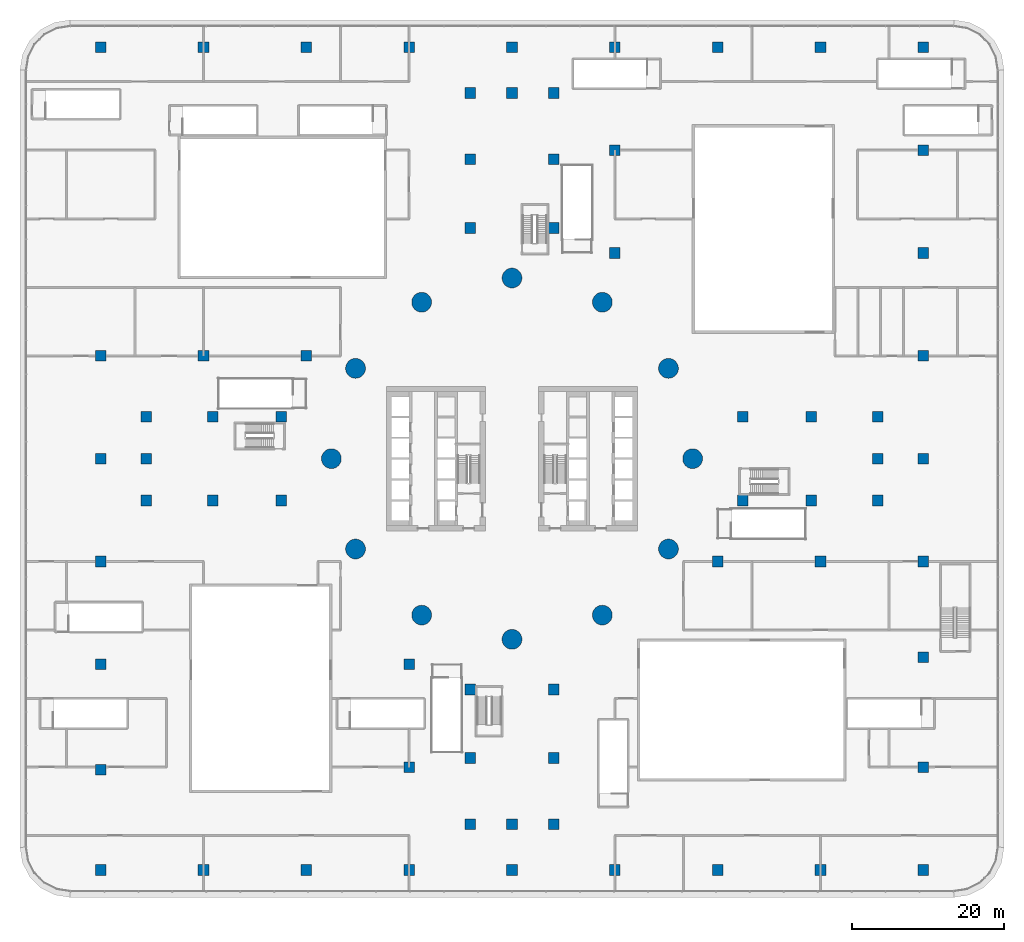
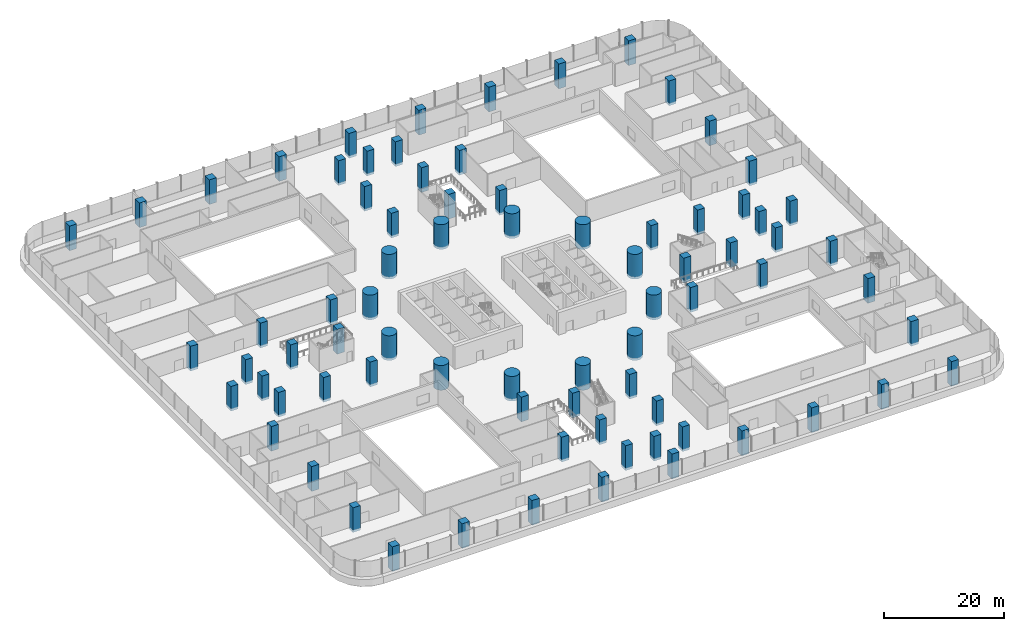
# One storey, part 1 of 38: 78 columns.
"""IFC4 building model written with IfcOpenShell, lengths in metres."""

from ifc_helpers import new_model, si_unit, direction, frame, origin, origin_2d, place, context, subcontext, project, spatial, rectangle, circle, extrude, material, material_profile, profile_set, type_object, element, save


model = new_model("IFC4")

# Units and contexts
model_context = context("Model", 3, precision=1e-05, world=origin(), true_north=direction((0.0, 1.0)))
body_context = subcontext(model_context, "Body", "Model", "MODEL_VIEW")
ifc_project = project(units=[si_unit("LENGTHUNIT", "METRE"), si_unit("AREAUNIT", "SQUARE_METRE"), si_unit("VOLUMEUNIT", "CUBIC_METRE"), si_unit("PLANEANGLEUNIT", "RADIAN"), si_unit("MASSUNIT", "GRAM", prefix="KILO")], contexts=[model_context])

# Site, building, storey
site_placement = place(None, origin())
site = spatial("IfcSite", under=ifc_project, at=site_placement, CompositionType="ELEMENT")
building_placement = place(site_placement, origin())
building = spatial("IfcBuilding", under=site, at=building_placement, Name="Tamarind Cross Interchange Tower", CompositionType="ELEMENT")
storey_placement = place(building_placement, frame((0.0, 0.0, 20.0)))
storey = spatial("IfcBuildingStorey", under=building, at=storey_placement, Name="L03", CompositionType="ELEMENT", Elevation=20.0)

# Columns
ifc_material = material(Name="Concrete C80", Category="concrete")
ifc_material_profile_1 = material_profile(ifc_material, rectangle(XDim=1.39990234375, YDim=1.39990234375, at=origin_2d()), Name="RC 1400x1400")
ifc_profile_set_1 = profile_set([ifc_material_profile_1], Name="Concrete C80")
column_type_1 = type_object("IfcColumnType", Name="Column RC 1400x1400 Concrete C80", PredefinedType="COLUMN", material=ifc_profile_set_1)
for number, where, z_axis, x_axis, name in (
    (1, (39.300048828125, 5.5, -0.5), (0.0, 0.0, 1.0), (1.0, 0.0, 0.0), "Column E.ep0"),
    (2, (39.300048828125, -5.5, -0.5), (0.0, 0.0, 1.0), (1.0, 0.0, 0.0), "Column E.em0"),
    (3, (30.300048828125, 5.5, -0.5), (0.0, 0.0, 1.0), (1.0, 0.0, 0.0), "Column E.ep1"),
    (4, (30.300048828125, -5.5, -0.5), (0.0, 0.0, 1.0), (1.0, 0.0, 0.0), "Column E.em1"),
    (5, (48.007568359375, -5.5, -0.5), (0.0, 0.0, 1.0), (1.0, 0.0, 0.0), "Column E.t0"),
    (6, (48.007568359375, 0.0, -0.5), (0.0, 0.0, 1.0), (1.0, 0.0, 0.0), "Column E.t1"),
    (7, (48.007568359375, 5.5, -0.5), (0.0, 0.0, 1.0), (1.0, 0.0, 0.0), "Column E.t2"),
    (8, (-5.5, 39.300048828125, -0.5), (0.0, 0.0, 1.0), (1.0, 0.0, 0.0), "Column N.ep0"),
    (9, (5.5, 39.300048828125, -0.5), (0.0, 0.0, 1.0), (1.0, 0.0, 0.0), "Column N.em0"),
    (10, (-5.5, 30.300048828125, -0.5), (0.0, 0.0, 1.0), (1.0, 0.0, 0.0), "Column N.ep1"),
    (11, (5.5, 30.300048828125, -0.5), (0.0, 0.0, 1.0), (1.0, 0.0, 0.0), "Column N.em1"),
    (12, (5.5, 48.007568359375, -0.5), (0.0, 0.0, 1.0), (1.0, 0.0, 0.0), "Column N.t0"),
    (13, (0.0, 48.007568359375, -0.5), (0.0, 0.0, 1.0), (1.0, 0.0, 0.0), "Column N.t1"),
    (14, (-5.5, 48.007568359375, -0.5), (0.0, 0.0, 1.0), (1.0, 0.0, 0.0), "Column N.t2"),
    (15, (-39.300048828125, -5.5, -0.5), (0.0, 0.0, 1.0), (1.0, 0.0, 0.0), "Column W.ep0"),
    (16, (-39.300048828125, 5.5, -0.5), (0.0, 0.0, 1.0), (1.0, 0.0, 0.0), "Column W.em0"),
    (17, (-30.300048828125, -5.5, -0.5), (0.0, 0.0, 1.0), (1.0, 0.0, 0.0), "Column W.ep1"),
    (18, (-30.300048828125, 5.5, -0.5), (0.0, 0.0, 1.0), (1.0, 0.0, 0.0), "Column W.em1"),
    (19, (-48.007568359375, 5.5, -0.5), (0.0, 0.0, 1.0), (1.0, 0.0, 0.0), "Column W.t0"),
    (20, (-48.007568359375, 0.0, -0.5), (0.0, 0.0, 1.0), (1.0, 0.0, 0.0), "Column W.t1"),
    (21, (-48.007568359375, -5.5, -0.5), (0.0, 0.0, 1.0), (1.0, 0.0, 0.0), "Column W.t2"),
    (22, (5.5, -39.300048828125, -0.5), (0.0, 0.0, 1.0), (1.0, 0.0, 0.0), "Column S.ep0"),
    (23, (-5.5, -39.300048828125, -0.5), (0.0, 0.0, 1.0), (1.0, 0.0, 0.0), "Column S.em0"),
    (24, (5.5, -30.300048828125, -0.5), (0.0, 0.0, 1.0), (1.0, 0.0, 0.0), "Column S.ep1"),
    (25, (-5.5, -30.300048828125, -0.5), (0.0, 0.0, 1.0), (1.0, 0.0, 0.0), "Column S.em1"),
    (26, (-5.5, -48.007568359375, -0.5), (0.0, 0.0, 1.0), (1.0, 0.0, 0.0), "Column S.t0"),
    (27, (0.0, -48.007568359375, -0.5), (0.0, 0.0, 1.0), (1.0, 0.0, 0.0), "Column S.t1"),
    (28, (5.5, -48.007568359375, -0.5), (0.0, 0.0, 1.0), (1.0, 0.0, 0.0), "Column S.t2"),
    (29, (-54.0, -54.0, -0.5), (0.0, 0.0, 1.0), (1.0, 0.0, 0.0), "Column G01"),
    (30, (-54.0, -40.85009765625, -0.5), (0.0, 0.0, 1.0), (1.0, 0.0, 0.0), "Column G02"),
    (31, (-54.0, -27.0, -0.5), (0.0, 0.0, 1.0), (1.0, 0.0, 0.0), "Column G03"),
    (32, (-54.0, -13.5, -0.5), (0.0, 0.0, 1.0), (1.0, 0.0, 0.0), "Column G04"),
    (33, (-54.0, 0.0, -0.5), (0.0, 0.0, 1.0), (1.0, 0.0, 0.0), "Column G05"),
    (34, (-54.0, 13.5, -0.5), (0.0, 0.0, 1.0), (1.0, 0.0, 0.0), "Column G06"),
    (35, (-54.0, 54.0, -0.5), (0.0, 0.0, 1.0), (1.0, 0.0, 0.0), "Column G07"),
    (36, (-40.5, -54.0, -0.5), (0.0, 0.0, 1.0), (1.0, 0.0, 0.0), "Column G08"),
    (37, (-40.5, 13.5, -0.5), (0.0, 0.0, 1.0), (1.0, 0.0, 0.0), "Column G09"),
    (38, (-40.5, 54.0, -0.5), (0.0, 0.0, 1.0), (1.0, 0.0, 0.0), "Column G10"),
    (39, (-27.0, -54.0, -0.5), (0.0, 0.0, 1.0), (1.0, 0.0, 0.0), "Column G11"),
    (40, (-27.0, 13.5, -0.5), (0.0, 0.0, 1.0), (1.0, 0.0, 0.0), "Column G12"),
    (41, (-27.0, 54.0, -0.5), (0.0, 0.0, 1.0), (1.0, 0.0, 0.0), "Column G13"),
    (42, (-13.5, -54.0, -0.5), (0.0, 0.0, 1.0), (1.0, 0.0, 0.0), "Column G14"),
    (43, (-13.5, -40.5, -0.5), (0.0, 0.0, 1.0), (1.0, 0.0, 0.0), "Column G15"),
    (44, (-13.5, -27.0, -0.5), (0.0, 0.0, 1.0), (1.0, 0.0, 0.0), "Column G16"),
    (45, (-13.5, 54.0, -0.5), (0.0, 0.0, 1.0), (1.0, 0.0, 0.0), "Column G17"),
    (46, (0.0, -54.0, -0.5), (0.0, 0.0, 1.0), (1.0, 0.0, 0.0), "Column G18"),
    (47, (0.0, 54.0, -0.5), (0.0, 0.0, 1.0), (1.0, 0.0, 0.0), "Column G19"),
    (48, (13.5, -54.0, -0.5), (0.0, 0.0, 1.0), (1.0, 0.0, 0.0), "Column G20"),
    (49, (13.5, 27.0, -0.5), (0.0, 0.0, 1.0), (1.0, 0.0, 0.0), "Column G21"),
    (50, (13.5, 40.5, -0.5), (0.0, 0.0, 1.0), (1.0, 0.0, 0.0), "Column G22"),
    (51, (13.5, 54.0, -0.5), (0.0, 0.0, 1.0), (1.0, 0.0, 0.0), "Column G23"),
    (52, (27.0, -54.0, -0.5), (0.0, 0.0, 1.0), (1.0, 0.0, 0.0), "Column G24"),
    (53, (27.0, -13.5, -0.5), (0.0, 0.0, 1.0), (1.0, 0.0, 0.0), "Column G25"),
    (54, (27.0, 54.0, -0.5), (0.0, 0.0, 1.0), (1.0, 0.0, 0.0), "Column G26"),
    (55, (40.5, -54.0, -0.5), (0.0, 0.0, 1.0), (1.0, 0.0, 0.0), "Column G27"),
    (56, (40.5, -13.5, -0.5), (0.0, 0.0, 1.0), (1.0, 0.0, 0.0), "Column G28"),
    (57, (40.5, 54.0, -0.5), (0.0, 0.0, 1.0), (1.0, 0.0, 0.0), "Column G29"),
    (58, (54.0, -54.0, -0.5), (0.0, 0.0, 1.0), (1.0, 0.0, 0.0), "Column G30"),
    (59, (54.0, -40.5, -0.5), (0.0, 0.0, 1.0), (1.0, 0.0, 0.0), "Column G31"),
    (60, (54.0, -26.050048828125, -0.5), (0.0, 0.0, 1.0), (1.0, 0.0, 0.0), "Column G32"),
    (61, (54.0, -13.5, -0.5), (0.0, 0.0, 1.0), (1.0, 0.0, 0.0), "Column G33"),
    (62, (54.0, 0.0, -0.5), (0.0, 0.0, 1.0), (1.0, 0.0, 0.0), "Column G34"),
    (63, (54.0, 13.5, -0.5), (0.0, 0.0, 1.0), (1.0, 0.0, 0.0), "Column G35"),
    (64, (54.0, 27.0, -0.5), (0.0, 0.0, 1.0), (1.0, 0.0, 0.0), "Column G36"),
    (65, (54.0, 40.5, -0.5), (0.0, 0.0, 1.0), (1.0, 0.0, 0.0), "Column G37"),
    (66, (54.0, 54.0, -0.5), (0.0, 0.0, 1.0), (1.0, 0.0, 0.0), "Column G38"),
):
    element("IfcColumn", number, at=place(storey_placement, frame(where, z_axis=z_axis, x_axis=x_axis)), inside=storey, type_object=column_type_1, Name=name, PredefinedType="COLUMN", context=body_context, shape_type="SweptSolid", body=[
        extrude(rectangle(XDim=1.39990234375, YDim=1.39990234375, at=origin_2d()), origin(), (0.0, 0.0, 1.0), 5.050048828125),
    ])
ifc_material_profile_2 = material_profile(ifc_material, circle(Radius=1.300048828125, at=origin_2d()), Name="RC D2600")
ifc_profile_set_2 = profile_set([ifc_material_profile_2], Name="Concrete C80")
column_type_2 = type_object("IfcColumnType", Name="Column RC D2600 Concrete C80", PredefinedType="COLUMN", material=ifc_profile_set_2)
for number, where, z_axis, x_axis, name in (
    (67, (23.720703125, 0.0, -0.5), (0.0, 0.0, 1.0), (1.0, 0.0, 0.0), "Ring column R01"),
    (68, (20.542724609375, 11.8603515625, -0.5), (0.0, 0.0, 1.0), (1.0, 0.0, 0.0), "Ring column R02"),
    (69, (11.8603515625, 20.542724609375, -0.5), (0.0, 0.0, 1.0), (1.0, 0.0, 0.0), "Ring column R03"),
    (70, (0.0, 23.720703125, -0.5), (0.0, 0.0, 1.0), (1.0, 0.0, 0.0), "Ring column R04"),
    (71, (-11.8603515625, 20.542724609375, -0.5), (0.0, 0.0, 1.0), (1.0, 0.0, 0.0), "Ring column R05"),
    (72, (-20.542724609375, 11.8603515625, -0.5), (0.0, 0.0, 1.0), (1.0, 0.0, 0.0), "Ring column R06"),
    (73, (-23.720703125, 0.0, -0.5), (0.0, 0.0, 1.0), (1.0, 0.0, 0.0), "Ring column R07"),
    (74, (-20.542724609375, -11.8603515625, -0.5), (0.0, 0.0, 1.0), (1.0, 0.0, 0.0), "Ring column R08"),
    (75, (-11.8603515625, -20.542724609375, -0.5), (0.0, 0.0, 1.0), (1.0, 0.0, 0.0), "Ring column R09"),
    (76, (0.0, -23.720703125, -0.5), (0.0, 0.0, 1.0), (1.0, 0.0, 0.0), "Ring column R10"),
    (77, (11.8603515625, -20.542724609375, -0.5), (0.0, 0.0, 1.0), (1.0, 0.0, 0.0), "Ring column R11"),
    (78, (20.542724609375, -11.8603515625, -0.5), (0.0, 0.0, 1.0), (1.0, 0.0, 0.0), "Ring column R12"),
):
    element("IfcColumn", number, at=place(storey_placement, frame(where, z_axis=z_axis, x_axis=x_axis)), inside=storey, type_object=column_type_2, Name=name, PredefinedType="COLUMN", context=body_context, shape_type="SweptSolid", body=[
        extrude(circle(Radius=1.300048828125, at=origin_2d()), origin(), (0.0, 0.0, 1.0), 5.050048828125),
    ])

save(model, "model.ifc")
